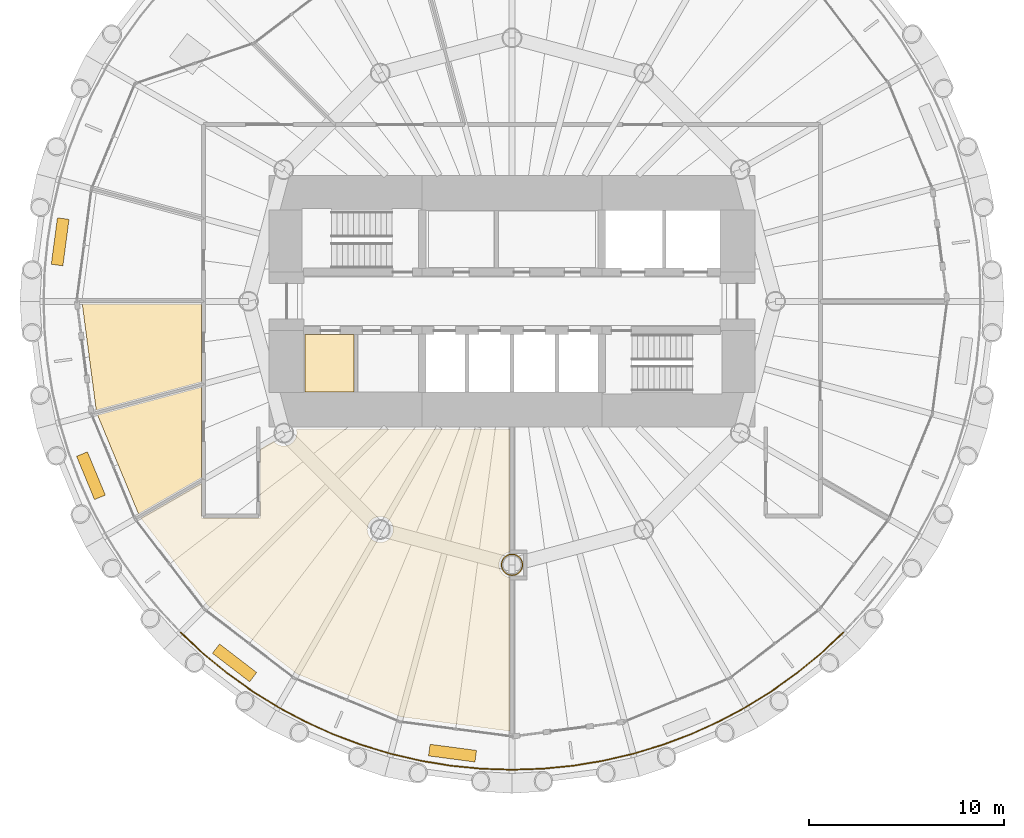
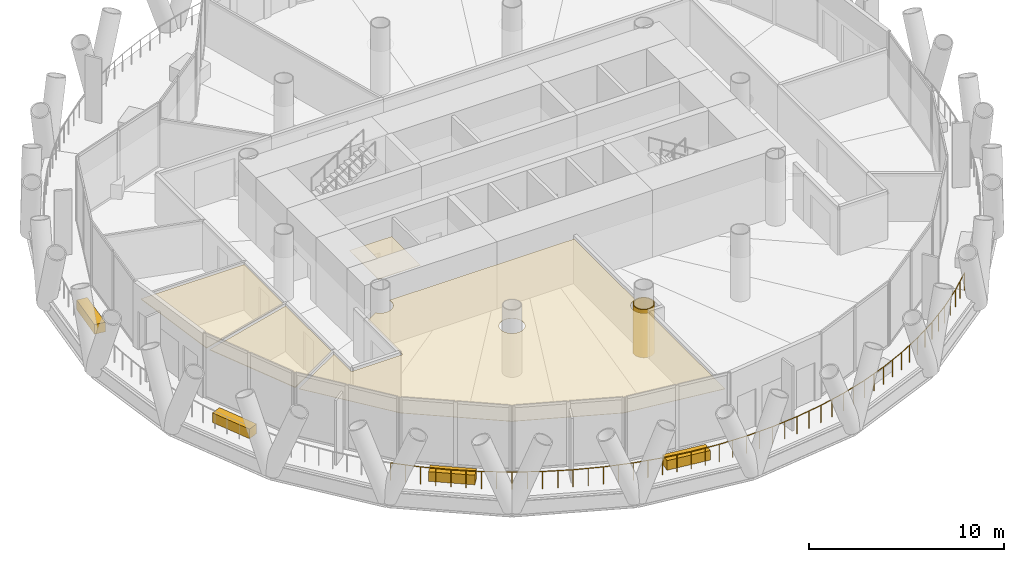
# One storey, part 11 of 14: 9 coverings, 1 railing.
"""IFC4 building model written with IfcOpenShell, lengths in metres."""

from ifc_helpers import new_model, si_unit, direction, frame, origin, origin_2d, place, context, subcontext, project, spatial, polyline, rectangle, circle, outline, extrude, material, layer, layer_set, type_object, element, save


model = new_model("IFC4")

# Units and contexts
model_context = context("Model", 3, precision=1e-05, world=origin(), true_north=direction((0.0, 1.0)))
body_context = subcontext(model_context, "Body", "Model", "MODEL_VIEW")
ifc_project = project(units=[si_unit("LENGTHUNIT", "METRE"), si_unit("AREAUNIT", "SQUARE_METRE"), si_unit("VOLUMEUNIT", "CUBIC_METRE"), si_unit("PLANEANGLEUNIT", "RADIAN"), si_unit("MASSUNIT", "GRAM", prefix="KILO")], contexts=[model_context])

# Site, building, storey
site_placement = place(None, origin())
site = spatial("IfcSite", under=ifc_project, at=site_placement, CompositionType="ELEMENT")
building_placement = place(site_placement, origin())
building = spatial("IfcBuilding", under=site, at=building_placement, Name="Qaws Media Tower", CompositionType="ELEMENT")
storey_placement = place(building_placement, frame((0.0, 0.0, 160.39990234375)))
storey = spatial("IfcBuildingStorey", under=building, at=storey_placement, Name="L36", CompositionType="ELEMENT", Elevation=160.39990234375)

# Coverings
ifc_material_1 = material(Name="40 perforated acoustic panels with mineral wool backing, suspended", Category="mineral fibre")
ifc_layer_1 = layer(ifc_material_1, 0.0400390625)
ifc_layer_set_1 = layer_set([ifc_layer_1], Name="Acoustic panel ceiling 40")
covering_type_1 = type_object("IfcCoveringType", Name="Acoustic panel ceiling 40", PredefinedType="CEILING", material=ifc_layer_set_1)
covering_1_placement = place(storey_placement, frame((0.0, 0.0, 2.85009765625)))
element("IfcCovering", 1, at=covering_1_placement, inside=storey, type_object=covering_type_1, Name="CL3 ceiling L36-06 Interview room", PredefinedType="CEILING", context=body_context, shape_type="SweptSolid", body=[
    extrude(outline(polyline([(37.9794921875, 49.887451171875), (44.08740234375, 49.887451171875), (44.08740234375, 45.852783203125), (38.70068359375, 44.409423828125), (37.9794921875, 49.887451171875)])), origin(), (0.0, 0.0, 1.0), 0.0400390625),
])
covering_2_placement = place(storey_placement, frame((0.0, 0.0, 2.85009765625)))
element("IfcCovering", 2, at=covering_2_placement, inside=storey, type_object=covering_type_1, Name="CL3 ceiling L36-07 Interview room", PredefinedType="CEILING", context=body_context, shape_type="SweptSolid", body=[
    extrude(outline(polyline([(38.759033203125, 44.19189453125), (44.08740234375, 45.619873046875), (44.08740234375, 40.94287109375), (40.87353515625, 39.087158203125), (38.759033203125, 44.19189453125)])), origin(), (0.0, 0.0, 1.0), 0.0400390625),
])

# Railing
ifc_material_2 = material(Name="Stainless steel and glass guard", Category="steel")
railing_type = type_object("IfcRailingType", Name="Balcony guard 1100", PredefinedType="GUARDRAIL", material=ifc_material_2)
railing_placement = place(storey_placement, frame((43.029541015625, 33.029541015625, 0.0)))
element("IfcRailing", 3, at=railing_placement, inside=storey, type_object=railing_type, Name="GR1 balcony guard L36-3", PredefinedType="GUARDRAIL", context=body_context, shape_type="SweptSolid", body=[
    extrude(circle(Radius=0.02392578125, at=origin_2d()), frame((0.0, 0.0, 1.076171875), z_axis=(0.729813455053, -0.683646341922, 0.0), x_axis=(0.683646341922, 0.729813455053, 0.0)), (0.0, 0.0, 1.0), 1.570556640625),
    extrude(circle(Radius=0.02392578125, at=origin_2d()), frame((1.146240234375, -1.07373046875, 1.076171875), z_axis=(0.77296584809, -0.63444763195, 0.0), x_axis=(0.63444763195, 0.77296584809, 0.0)), (0.0, 0.0, 1.0), 1.5703125),
    extrude(circle(Radius=0.02392578125, at=origin_2d()), frame((2.360107421875, -2.070068359375, 1.076171875), z_axis=(0.812850247555, -0.582472724726, 0.0), x_axis=(0.582472724726, 0.812850247555, 0.0)), (0.0, 0.0, 1.0), 1.570556640625),
    extrude(circle(Radius=0.02392578125, at=origin_2d()), frame((3.63671875, -2.98486328125, 1.076171875), z_axis=(0.849209967984, -0.528055328802, 0.0), x_axis=(0.528055328802, 0.849209967984, 0.0)), (0.0, 0.0, 1.0), 1.570556640625),
    extrude(circle(Radius=0.02392578125, at=origin_2d()), frame((4.970458984375, -3.814208984375, 1.076171875), z_axis=(0.881939468642, -0.471362677406, 0.0), x_axis=(0.471362677406, 0.881939468642, 0.0)), (0.0, 0.0, 1.0), 1.5703125),
    extrude(circle(Radius=0.02392578125, at=origin_2d()), frame((6.35546875, -4.554443359375, 1.076171875), z_axis=(0.910871506135, -0.412690076585, 0.0), x_axis=(0.412690076585, 0.910871506135, 0.0)), (0.0, 0.0, 1.0), 1.570556640625),
    extrude(circle(Radius=0.02392578125, at=origin_2d()), frame((7.7861328125, -5.20263671875, 1.076171875), z_axis=(0.935894013159, -0.35228169997, 0.0), x_axis=(0.35228169997, 0.935894013159, 0.0)), (0.0, 0.0, 1.0), 1.5703125),
    extrude(circle(Radius=0.02392578125, at=origin_2d()), frame((9.255859375, -5.755859375, 1.076171875), z_axis=(0.956957701155, -0.290227424961, 0.0), x_axis=(0.290227424961, 0.956957701155, 0.0)), (0.0, 0.0, 1.0), 1.570556640625),
    extrude(circle(Radius=0.02392578125, at=origin_2d()), frame((10.7587890625, -6.211669921875, 1.076171875), z_axis=(0.973869866976, -0.227106763871, 0.0), x_axis=(0.227106763871, 0.973869866976, 0.0)), (0.0, 0.0, 1.0), 1.570556640625),
    extrude(circle(Radius=0.02392578125, at=origin_2d()), frame((12.288330078125, -6.568359375, 1.076171875), z_axis=(0.98664068219, -0.162911522757, 0.0), x_axis=(0.162911522757, 0.98664068219, 0.0)), (0.0, 0.0, 1.0), 1.570556640625),
    extrude(circle(Radius=0.02392578125, at=origin_2d()), frame((13.837890625, -6.82421875, 1.076171875), z_axis=(0.995177778889, -0.098087656745, 0.0), x_axis=(0.098087656745, 0.995177778889, 0.0)), (0.0, 0.0, 1.0), 1.570556640625),
    extrude(circle(Radius=0.02392578125, at=origin_2d()), frame((15.40087890625, -6.978271484375, 1.076171875), z_axis=(0.999466942107, -0.03264707697, 0.0), x_axis=(0.03264707697, 0.999466942107, 0.0)), (0.0, 0.0, 1.0), 1.5703125),
    extrude(circle(Radius=0.02392578125, at=origin_2d()), frame((16.970458984375, -7.029541015625, 1.076171875), z_axis=(0.999466942107, 0.03264707697, 0.0), x_axis=(-0.03264707697, 0.999466942107, 0.0)), (0.0, 0.0, 1.0), 1.5703125),
    extrude(circle(Radius=0.02392578125, at=origin_2d()), frame((18.5400390625, -6.978271484375, 1.076171875), z_axis=(0.995177778889, 0.098087656745, 0.0), x_axis=(-0.098087656745, 0.995177778889, 0.0)), (0.0, 0.0, 1.0), 1.570556640625),
    extrude(circle(Radius=0.02392578125, at=origin_2d()), frame((20.10302734375, -6.82421875, 1.076171875), z_axis=(0.98664068219, 0.162911522757, 0.0), x_axis=(-0.162911522757, 0.98664068219, 0.0)), (0.0, 0.0, 1.0), 1.570556640625),
    extrude(circle(Radius=0.02392578125, at=origin_2d()), frame((21.652587890625, -6.568359375, 1.076171875), z_axis=(0.973869866976, 0.227106763871, 0.0), x_axis=(-0.227106763871, 0.973869866976, 0.0)), (0.0, 0.0, 1.0), 1.570556640625),
    extrude(circle(Radius=0.02392578125, at=origin_2d()), frame((23.18212890625, -6.211669921875, 1.076171875), z_axis=(0.956957701155, 0.290227424961, 0.0), x_axis=(-0.290227424961, 0.956957701155, 0.0)), (0.0, 0.0, 1.0), 1.570556640625),
    extrude(circle(Radius=0.02392578125, at=origin_2d()), frame((24.68505859375, -5.755859375, 1.076171875), z_axis=(0.935894013159, 0.35228169997, 0.0), x_axis=(-0.35228169997, 0.935894013159, 0.0)), (0.0, 0.0, 1.0), 1.5703125),
    extrude(circle(Radius=0.02392578125, at=origin_2d()), frame((26.15478515625, -5.20263671875, 1.076171875), z_axis=(0.910871506135, 0.412690076585, 0.0), x_axis=(-0.412690076585, 0.910871506135, 0.0)), (0.0, 0.0, 1.0), 1.570556640625),
    extrude(circle(Radius=0.02392578125, at=origin_2d()), frame((27.58544921875, -4.554443359375, 1.076171875), z_axis=(0.881939468642, 0.471362677406, 0.0), x_axis=(-0.471362677406, 0.881939468642, 0.0)), (0.0, 0.0, 1.0), 1.5703125),
    extrude(circle(Radius=0.02392578125, at=origin_2d()), frame((28.970458984375, -3.814208984375, 1.076171875), z_axis=(0.849209967984, 0.528055328802, 0.0), x_axis=(-0.528055328802, 0.849209967984, 0.0)), (0.0, 0.0, 1.0), 1.570556640625),
    extrude(circle(Radius=0.02392578125, at=origin_2d()), frame((30.30419921875, -2.98486328125, 1.076171875), z_axis=(0.812850247555, 0.582472724726, 0.0), x_axis=(-0.582472724726, 0.812850247555, 0.0)), (0.0, 0.0, 1.0), 1.570556640625),
    extrude(circle(Radius=0.02392578125, at=origin_2d()), frame((31.580810546875, -2.070068359375, 1.076171875), z_axis=(0.77296584809, 0.63444763195, 0.0), x_axis=(-0.63444763195, 0.77296584809, 0.0)), (0.0, 0.0, 1.0), 1.5703125),
    extrude(circle(Radius=0.02392578125, at=origin_2d()), frame((32.794677734375, -1.07373046875, 1.076171875), z_axis=(0.729813455053, 0.683646341922, 0.0), x_axis=(-0.683646341922, 0.729813455053, 0.0)), (0.0, 0.0, 1.0), 1.570556640625),
    extrude(circle(Radius=0.02099609375, at=origin_2d()), origin(), (0.0, 0.0, 1.0), 1.052001953125),
    extrude(circle(Radius=0.02099609375, at=origin_2d()), frame((0.5732421875, -0.536865234375, 0.0)), (0.0, 0.0, 1.0), 1.052001953125),
    extrude(circle(Radius=0.02099609375, at=origin_2d()), frame((1.146240234375, -1.07373046875, 0.0)), (0.0, 0.0, 1.0), 1.052001953125),
    extrude(circle(Radius=0.02099609375, at=origin_2d()), frame((1.753173828125, -1.57177734375, 0.0)), (0.0, 0.0, 1.0), 1.052001953125),
    extrude(circle(Radius=0.02099609375, at=origin_2d()), frame((2.360107421875, -2.070068359375, 0.0)), (0.0, 0.0, 1.0), 1.052001953125),
    extrude(circle(Radius=0.02099609375, at=origin_2d()), frame((2.99853515625, -2.52734375, 0.0)), (0.0, 0.0, 1.0), 1.052001953125),
    extrude(circle(Radius=0.02099609375, at=origin_2d()), frame((3.63671875, -2.98486328125, 0.0)), (0.0, 0.0, 1.0), 1.052001953125),
    extrude(circle(Radius=0.02099609375, at=origin_2d()), frame((4.3037109375, -3.3994140625, 0.0)), (0.0, 0.0, 1.0), 1.052001953125),
    extrude(circle(Radius=0.02099609375, at=origin_2d()), frame((4.970458984375, -3.814208984375, 0.0)), (0.0, 0.0, 1.0), 1.052001953125),
    extrude(circle(Radius=0.02099609375, at=origin_2d()), frame((5.6630859375, -4.184326171875, 0.0)), (0.0, 0.0, 1.0), 1.052001953125),
    extrude(circle(Radius=0.02099609375, at=origin_2d()), frame((6.35546875, -4.554443359375, 0.0)), (0.0, 0.0, 1.0), 1.052001953125),
    extrude(circle(Radius=0.02099609375, at=origin_2d()), frame((7.07080078125, -4.87841796875, 0.0)), (0.0, 0.0, 1.0), 1.052001953125),
    extrude(circle(Radius=0.02099609375, at=origin_2d()), frame((7.7861328125, -5.20263671875, 0.0)), (0.0, 0.0, 1.0), 1.052001953125),
    extrude(circle(Radius=0.02099609375, at=origin_2d()), frame((8.52099609375, -5.479248046875, 0.0)), (0.0, 0.0, 1.0), 1.052001953125),
    extrude(circle(Radius=0.02099609375, at=origin_2d()), frame((9.255859375, -5.755859375, 0.0)), (0.0, 0.0, 1.0), 1.052001953125),
    extrude(circle(Radius=0.02099609375, at=origin_2d()), frame((10.00732421875, -5.98388671875, 0.0)), (0.0, 0.0, 1.0), 1.052001953125),
    extrude(circle(Radius=0.02099609375, at=origin_2d()), frame((10.7587890625, -6.211669921875, 0.0)), (0.0, 0.0, 1.0), 1.052001953125),
    extrude(circle(Radius=0.02099609375, at=origin_2d()), frame((11.5234375, -6.39013671875, 0.0)), (0.0, 0.0, 1.0), 1.052001953125),
    extrude(circle(Radius=0.02099609375, at=origin_2d()), frame((12.288330078125, -6.568359375, 0.0)), (0.0, 0.0, 1.0), 1.052001953125),
    extrude(circle(Radius=0.02099609375, at=origin_2d()), frame((13.06298828125, -6.6962890625, 0.0)), (0.0, 0.0, 1.0), 1.052001953125),
    extrude(circle(Radius=0.02099609375, at=origin_2d()), frame((13.837890625, -6.82421875, 0.0)), (0.0, 0.0, 1.0), 1.052001953125),
    extrude(circle(Radius=0.02099609375, at=origin_2d()), frame((14.619384765625, -6.9013671875, 0.0)), (0.0, 0.0, 1.0), 1.052001953125),
    extrude(circle(Radius=0.02099609375, at=origin_2d()), frame((15.40087890625, -6.978271484375, 0.0)), (0.0, 0.0, 1.0), 1.052001953125),
    extrude(circle(Radius=0.02099609375, at=origin_2d()), frame((16.185546875, -7.00390625, 0.0)), (0.0, 0.0, 1.0), 1.052001953125),
    extrude(circle(Radius=0.02099609375, at=origin_2d()), frame((16.970458984375, -7.029541015625, 0.0)), (0.0, 0.0, 1.0), 1.052001953125),
    extrude(circle(Radius=0.02099609375, at=origin_2d()), frame((17.75537109375, -7.00390625, 0.0)), (0.0, 0.0, 1.0), 1.052001953125),
    extrude(circle(Radius=0.02099609375, at=origin_2d()), frame((18.5400390625, -6.978271484375, 0.0)), (0.0, 0.0, 1.0), 1.052001953125),
    extrude(circle(Radius=0.02099609375, at=origin_2d()), frame((19.321533203125, -6.9013671875, 0.0)), (0.0, 0.0, 1.0), 1.052001953125),
    extrude(circle(Radius=0.02099609375, at=origin_2d()), frame((20.10302734375, -6.82421875, 0.0)), (0.0, 0.0, 1.0), 1.052001953125),
    extrude(circle(Radius=0.02099609375, at=origin_2d()), frame((20.8779296875, -6.6962890625, 0.0)), (0.0, 0.0, 1.0), 1.052001953125),
    extrude(circle(Radius=0.02099609375, at=origin_2d()), frame((21.652587890625, -6.568359375, 0.0)), (0.0, 0.0, 1.0), 1.052001953125),
    extrude(circle(Radius=0.02099609375, at=origin_2d()), frame((22.41748046875, -6.39013671875, 0.0)), (0.0, 0.0, 1.0), 1.052001953125),
    extrude(circle(Radius=0.02099609375, at=origin_2d()), frame((23.18212890625, -6.211669921875, 0.0)), (0.0, 0.0, 1.0), 1.052001953125),
    extrude(circle(Radius=0.02099609375, at=origin_2d()), frame((23.93359375, -5.98388671875, 0.0)), (0.0, 0.0, 1.0), 1.052001953125),
    extrude(circle(Radius=0.02099609375, at=origin_2d()), frame((24.68505859375, -5.755859375, 0.0)), (0.0, 0.0, 1.0), 1.052001953125),
    extrude(circle(Radius=0.02099609375, at=origin_2d()), frame((25.419921875, -5.479248046875, 0.0)), (0.0, 0.0, 1.0), 1.052001953125),
    extrude(circle(Radius=0.02099609375, at=origin_2d()), frame((26.15478515625, -5.20263671875, 0.0)), (0.0, 0.0, 1.0), 1.052001953125),
    extrude(circle(Radius=0.02099609375, at=origin_2d()), frame((26.8701171875, -4.87841796875, 0.0)), (0.0, 0.0, 1.0), 1.052001953125),
    extrude(circle(Radius=0.02099609375, at=origin_2d()), frame((27.58544921875, -4.554443359375, 0.0)), (0.0, 0.0, 1.0), 1.052001953125),
    extrude(circle(Radius=0.02099609375, at=origin_2d()), frame((28.27783203125, -4.184326171875, 0.0)), (0.0, 0.0, 1.0), 1.052001953125),
    extrude(circle(Radius=0.02099609375, at=origin_2d()), frame((28.970458984375, -3.814208984375, 0.0)), (0.0, 0.0, 1.0), 1.052001953125),
    extrude(circle(Radius=0.02099609375, at=origin_2d()), frame((29.63720703125, -3.3994140625, 0.0)), (0.0, 0.0, 1.0), 1.052001953125),
    extrude(circle(Radius=0.02099609375, at=origin_2d()), frame((30.30419921875, -2.98486328125, 0.0)), (0.0, 0.0, 1.0), 1.052001953125),
    extrude(circle(Radius=0.02099609375, at=origin_2d()), frame((30.9423828125, -2.52734375, 0.0)), (0.0, 0.0, 1.0), 1.052001953125),
    extrude(circle(Radius=0.02099609375, at=origin_2d()), frame((31.580810546875, -2.070068359375, 0.0)), (0.0, 0.0, 1.0), 1.052001953125),
    extrude(circle(Radius=0.02099609375, at=origin_2d()), frame((32.187744140625, -1.57177734375, 0.0)), (0.0, 0.0, 1.0), 1.052001953125),
    extrude(circle(Radius=0.02099609375, at=origin_2d()), frame((32.794677734375, -1.07373046875, 0.0)), (0.0, 0.0, 1.0), 1.052001953125),
    extrude(circle(Radius=0.02099609375, at=origin_2d()), frame((33.36767578125, -0.536865234375, 0.0)), (0.0, 0.0, 1.0), 1.052001953125),
    extrude(circle(Radius=0.02099609375, at=origin_2d()), frame((33.94091796875, 0.0, 0.0)), (0.0, 0.0, 1.0), 1.052001953125),
])

# Coverings
ifc_material_3 = material(Name="Two layers 15 fire-rated gypsum board on steel framing", Category="steel")
ifc_layer_2 = layer(ifc_material_3, 0.050048828125)
ifc_layer_set_2 = layer_set([ifc_layer_2], Name="Column fire casing")
covering_type_2 = type_object("IfcCoveringType", Name="Column fire casing", PredefinedType="CLADDING", material=ifc_layer_set_2)
covering_3_placement = place(storey_placement, origin())
element("IfcCovering", 4, at=covering_3_placement, inside=storey, type_object=covering_type_2, Name="CC1 column casing L36", PredefinedType="CLADDING", context=body_context, shape_type="SweptSolid", body=[
    extrude(outline(polyline([(60.56298828125, 36.5), (60.55810546875, 36.426513671875), (60.543701171875, 36.354248046875), (60.52001953125, 36.284423828125), (60.487548828125, 36.218505859375), (60.44677734375, 36.1572265625), (60.398193359375, 36.101806640625), (60.3427734375, 36.05322265625), (60.281494140625, 36.012451171875), (60.215576171875, 35.97998046875), (60.145751953125, 35.956298828125), (60.073486328125, 35.94189453125), (60.0, 35.93701171875), (59.926513671875, 35.94189453125), (59.854248046875, 35.956298828125), (59.784423828125, 35.97998046875), (59.718505859375, 36.012451171875), (59.6572265625, 36.05322265625), (59.601806640625, 36.101806640625), (59.55322265625, 36.1572265625), (59.512451171875, 36.218505859375), (59.47998046875, 36.284423828125), (59.456298828125, 36.354248046875), (59.44189453125, 36.426513671875), (59.43701171875, 36.5), (59.44189453125, 36.573486328125), (59.456298828125, 36.645751953125), (59.47998046875, 36.715576171875), (59.512451171875, 36.781494140625), (59.55322265625, 36.8427734375), (59.601806640625, 36.898193359375), (59.6572265625, 36.94677734375), (59.718505859375, 36.987548828125), (59.784423828125, 37.02001953125), (59.854248046875, 37.043701171875), (59.926513671875, 37.05810546875), (60.0, 37.06298828125), (60.073486328125, 37.05810546875), (60.145751953125, 37.043701171875), (60.215576171875, 37.02001953125), (60.281494140625, 36.987548828125), (60.3427734375, 36.94677734375), (60.398193359375, 36.898193359375), (60.44677734375, 36.8427734375), (60.487548828125, 36.781494140625), (60.52001953125, 36.715576171875), (60.543701171875, 36.645751953125), (60.55810546875, 36.573486328125), (60.56298828125, 36.5)]), holes=[polyline([(60.510986328125, 36.5), (60.506591796875, 36.433349609375), (60.49365234375, 36.36767578125), (60.47216796875, 36.304443359375), (60.4423828125, 36.244384765625), (60.405517578125, 36.18896484375), (60.361328125, 36.138671875), (60.31103515625, 36.094482421875), (60.255615234375, 36.0576171875), (60.195556640625, 36.02783203125), (60.13232421875, 36.00634765625), (60.066650390625, 35.993408203125), (60.0, 35.989013671875), (59.933349609375, 35.993408203125), (59.86767578125, 36.00634765625), (59.804443359375, 36.02783203125), (59.744384765625, 36.0576171875), (59.68896484375, 36.094482421875), (59.638671875, 36.138671875), (59.594482421875, 36.18896484375), (59.5576171875, 36.244384765625), (59.52783203125, 36.304443359375), (59.50634765625, 36.36767578125), (59.493408203125, 36.433349609375), (59.489013671875, 36.5), (59.493408203125, 36.566650390625), (59.50634765625, 36.63232421875), (59.52783203125, 36.695556640625), (59.5576171875, 36.755615234375), (59.594482421875, 36.81103515625), (59.638671875, 36.861328125), (59.68896484375, 36.905517578125), (59.744384765625, 36.9423828125), (59.804443359375, 36.97216796875), (59.86767578125, 36.99365234375), (59.933349609375, 37.006591796875), (60.0, 37.010986328125), (60.066650390625, 37.006591796875), (60.13232421875, 36.99365234375), (60.195556640625, 36.97216796875), (60.255615234375, 36.9423828125), (60.31103515625, 36.905517578125), (60.361328125, 36.861328125), (60.405517578125, 36.81103515625), (60.4423828125, 36.755615234375), (60.47216796875, 36.695556640625), (60.49365234375, 36.63232421875), (60.506591796875, 36.566650390625), (60.510986328125, 36.5)])]), origin(), (0.0, 0.0, 1.0), 3.01220703125),
])
ifc_material_4 = material(Name="600 x 600 mineral fibre tiles in exposed grid, suspended", Category="mineral fibre")
ifc_layer_3 = layer(ifc_material_4, 0.02001953125)
ifc_layer_set_3 = layer_set([ifc_layer_3], Name="Mineral fibre tile ceiling 20")
covering_type_3 = type_object("IfcCoveringType", Name="Mineral fibre tile ceiling 20", PredefinedType="CEILING", material=ifc_layer_set_3)
covering_4_placement = place(storey_placement, frame((0.0, 0.0, 2.85009765625)))
element("IfcCovering", 5, at=covering_4_placement, inside=storey, type_object=covering_type_3, Name="CL1 ceiling L36-08 HR office", PredefinedType="CEILING", context=body_context, shape_type="SweptSolid", body=[
    extrude(outline(polyline([(54.296875, 28.715576171875), (48.982421875, 30.9169921875), (44.418701171875, 34.418701171875), (40.986083984375, 38.892333984375), (44.08740234375, 40.68310546875), (44.08740234375, 38.887451171875), (47.112548828125, 38.887451171875), (47.112548828125, 42.429443359375), (47.795654296875, 42.823974609375), (47.836181640625, 42.777587890625), (47.902099609375, 42.719970703125), (47.974609375, 42.67138671875), (48.052978515625, 42.6328125), (48.1357421875, 42.604736328125), (48.221435546875, 42.587646484375), (48.30859375, 42.58203125), (48.395751953125, 42.587646484375), (48.4814453125, 42.604736328125), (48.564208984375, 42.6328125), (48.642578125, 42.67138671875), (48.71533203125, 42.719970703125), (48.781005859375, 42.777587890625), (48.838623046875, 42.84326171875), (48.88720703125, 42.916015625), (48.92578125, 42.994384765625), (48.953857421875, 43.0771484375), (48.970947265625, 43.162841796875), (48.976806640625, 43.25), (48.970947265625, 43.337158203125), (48.953857421875, 43.4228515625), (48.948974609375, 43.4375), (59.887451171875, 43.4375), (59.887451171875, 37.1572265625), (59.8271484375, 37.145263671875), (59.744384765625, 37.1171875), (59.666015625, 37.07861328125), (59.59326171875, 37.030029296875), (59.527587890625, 36.972412109375), (59.469970703125, 36.90673828125), (59.42138671875, 36.833984375), (59.3828125, 36.755615234375), (59.354736328125, 36.6728515625), (59.337646484375, 36.587158203125), (59.33203125, 36.5), (59.337646484375, 36.412841796875), (59.354736328125, 36.3271484375), (59.3828125, 36.244384765625), (59.42138671875, 36.166015625), (59.469970703125, 36.09326171875), (59.527587890625, 36.027587890625), (59.59326171875, 35.969970703125), (59.666015625, 35.92138671875), (59.744384765625, 35.8828125), (59.8271484375, 35.854736328125), (59.887451171875, 35.8427734375), (59.887451171875, 27.9794921875), (54.296875, 28.715576171875)]), holes=[polyline([(53.895263671875, 38.1357421875), (53.912353515625, 38.221435546875), (53.91796875, 38.30859375), (53.912353515625, 38.395751953125), (53.895263671875, 38.4814453125), (53.8671875, 38.564208984375), (53.82861328125, 38.642578125), (53.780029296875, 38.71533203125), (53.722412109375, 38.781005859375), (53.65673828125, 38.838623046875), (53.583984375, 38.88720703125), (53.505615234375, 38.92578125), (53.4228515625, 38.953857421875), (53.337158203125, 38.970947265625), (53.25, 38.976806640625), (53.162841796875, 38.970947265625), (53.0771484375, 38.953857421875), (52.994384765625, 38.92578125), (52.916015625, 38.88720703125), (52.84326171875, 38.838623046875), (52.777587890625, 38.781005859375), (52.719970703125, 38.71533203125), (52.67138671875, 38.642578125), (52.6328125, 38.564208984375), (52.604736328125, 38.4814453125), (52.587646484375, 38.395751953125), (52.58203125, 38.30859375), (52.587646484375, 38.221435546875), (52.604736328125, 38.1357421875), (52.6328125, 38.052978515625), (52.67138671875, 37.974609375), (52.719970703125, 37.902099609375), (52.777587890625, 37.836181640625), (52.84326171875, 37.77880859375), (52.916015625, 37.730224609375), (52.994384765625, 37.69140625), (53.0771484375, 37.663330078125), (53.162841796875, 37.646484375), (53.25, 37.640625), (53.337158203125, 37.646484375), (53.4228515625, 37.663330078125), (53.505615234375, 37.69140625), (53.583984375, 37.730224609375), (53.65673828125, 37.77880859375), (53.722412109375, 37.836181640625), (53.780029296875, 37.902099609375), (53.82861328125, 37.974609375), (53.8671875, 38.052978515625), (53.895263671875, 38.1357421875)])]), origin(), (0.0, 0.0, 1.0), 0.02001953125),
])
ifc_material_5 = material(Name="Precast concrete planter with trailing planting", Category="concrete")
ifc_layer_4 = layer(ifc_material_5, 0.60009765625)
ifc_layer_set_4 = layer_set([ifc_layer_4], Name="Planter 2400x600")
covering_type_4 = type_object("IfcCoveringType", Name="Planter 2400x600", PredefinedType="USERDEFINED", material=ifc_layer_set_4)
for number, where, z_axis, x_axis, name in (
    (6, (36.849853515625, 53.0478515625, 0.0), (0.0, 0.0, 1.0), (-0.13052619222, -0.991444861374, 0.0), "PL1 balcony planter L36-06"),
    (7, (38.427490234375, 41.064453125, 0.0), (0.0, 0.0, 1.0), (0.382683432365, -0.923879532511, 0.0), "PL1 balcony planter L36-07"),
    (8, (45.785400390625, 31.47509765625, 0.0), (0.0, 0.0, 1.0), (0.793353340291, -0.608761429009, 0.0), "PL1 balcony planter L36-08"),
    (9, (56.9521484375, 26.849853515625, 0.0), (0.0, 0.0, 1.0), (0.991444861374, -0.13052619222, 0.0), "PL1 balcony planter L36-09"),
):
    element("IfcCovering", number, at=place(storey_placement, frame(where, z_axis=z_axis, x_axis=x_axis)), inside=storey, type_object=covering_type_4, Name=name, ObjectType="PLANTER", PredefinedType="USERDEFINED", context=body_context, shape_type="SweptSolid", body=[
        extrude(rectangle(XDim=2.39990234375, YDim=0.60009765625, at=origin_2d()), origin(), (0.0, 0.0, 1.0), 0.60009765625),
    ])
ifc_material_6 = material(Name="Two layers 12.5 moisture-resistant plasterboard on suspended metal furring", Category="gypsum")
ifc_layer_5 = layer(ifc_material_6, 0.02490234375)
ifc_layer_set_5 = layer_set([ifc_layer_5], Name="Plasterboard ceiling 25")
covering_type_5 = type_object("IfcCoveringType", Name="Plasterboard ceiling 25", PredefinedType="CEILING", material=ifc_layer_set_5)
covering_5_placement = place(storey_placement, frame((0.0, 0.0, 2.85009765625)))
element("IfcCovering", 10, at=covering_5_placement, inside=storey, type_object=covering_type_5, Name="CL2 ceiling L36-C04 Accessible WC", PredefinedType="CEILING", context=body_context, shape_type="SweptSolid", body=[
    extrude(outline(polyline([(49.39990234375, 45.35009765625), (49.39990234375, 48.300048828125), (51.89990234375, 48.300048828125), (51.89990234375, 45.35009765625), (49.39990234375, 45.35009765625)])), origin(), (0.0, 0.0, 1.0), 0.02490234375),
])

save(model, "model.ifc")
